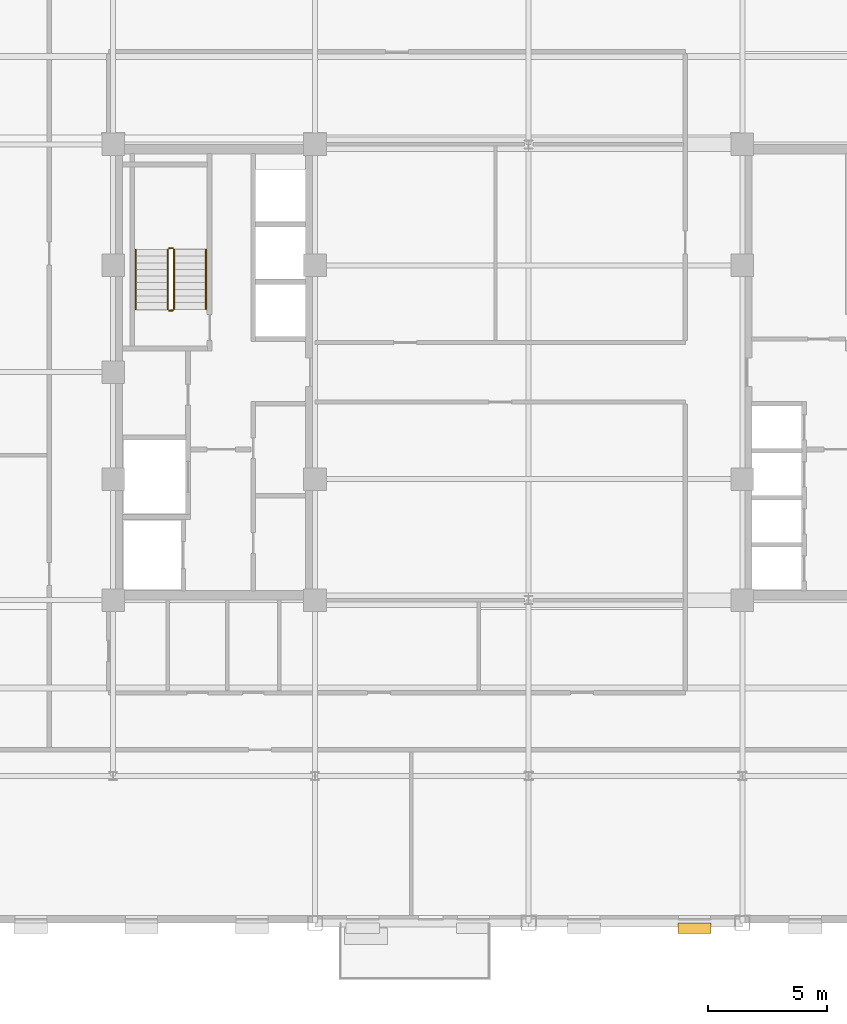
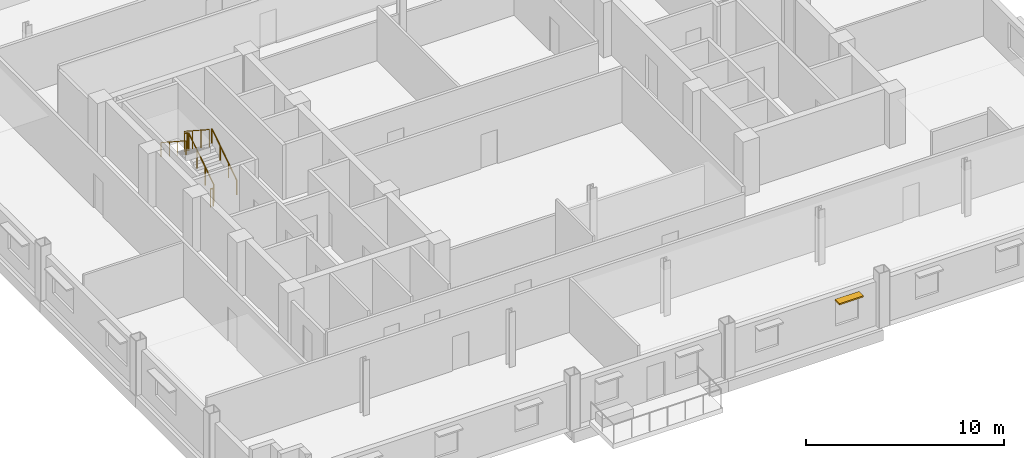
# One storey, part 11 of 14: 6 railings, 1 shading device.
"""IFC4 building model written with IfcOpenShell, lengths in metres."""

from ifc_helpers import new_model, si_unit, direction, frame, origin, origin_2d, place, context, subcontext, project, spatial, rectangle, circle, extrude, source, transform, mapped, material, type_object, type_shapes, element, save


model = new_model("IFC4")

# Units and contexts
model_context = context("Model", 3, precision=1e-05, world=origin(), true_north=direction((0.0, 1.0)))
body_context = subcontext(model_context, "Body", "Model", "MODEL_VIEW")
ifc_project = project(units=[si_unit("LENGTHUNIT", "METRE"), si_unit("AREAUNIT", "SQUARE_METRE"), si_unit("VOLUMEUNIT", "CUBIC_METRE"), si_unit("PLANEANGLEUNIT", "RADIAN"), si_unit("MASSUNIT", "GRAM", prefix="KILO")], contexts=[model_context])

# Site, building, storey
site_placement = place(None, origin())
site = spatial("IfcSite", under=ifc_project, at=site_placement, CompositionType="ELEMENT")
building_placement = place(site_placement, origin())
building = spatial("IfcBuilding", under=site, at=building_placement, Name="Nuvemarco Arch Tower", CompositionType="ELEMENT")
storey_placement = place(building_placement, frame((0.0, 0.0, 131.14990234375)))
storey = spatial("IfcBuildingStorey", under=building, at=storey_placement, Name="L34", CompositionType="ELEMENT", Elevation=131.14990234375)

# Railings
ifc_material_1 = material(Name="Brushed stainless steel handrail", Category="steel")
railing_type_1 = type_object("IfcRailingType", Name="RL-HANDRAIL-900", PredefinedType="HANDRAIL", material=ifc_material_1)
railing_1_placement = place(storey_placement, frame((-13.590087890625, 2.64990234375, 0.1826171875)))
element("IfcRailing", 1, at=railing_1_placement, inside=storey, type_object=railing_type_1, Name="L34 ST-1 stair handrail 1", PredefinedType="HANDRAIL", context=body_context, shape_type="SweptSolid", body=[
    extrude(circle(Radius=0.02392578125, at=origin_2d()), frame((0.0, 0.0, 0.8759765625), z_axis=(0.0, 0.837749427056, 0.546054848405), x_axis=(-1.0, 0.0, 0.0)), (0.0, 0.0, 1.0), 3.008056640625),
    extrude(circle(Radius=0.02099609375, at=origin_2d()), origin(), (0.0, 0.0, 1.0), 0.851806640625),
    extrude(circle(Radius=0.02099609375, at=origin_2d()), frame((0.0, 0.840087890625, 0.547607421875)), (0.0, 0.0, 1.0), 0.851806640625),
    extrude(circle(Radius=0.02099609375, at=origin_2d()), frame((0.0, 1.679931640625, 1.094970703125)), (0.0, 0.0, 1.0), 0.851806640625),
    extrude(circle(Radius=0.02099609375, at=origin_2d()), frame((0.0, 2.52001953125, 1.642578125)), (0.0, 0.0, 1.0), 0.851806640625),
])
railing_2_placement = place(storey_placement, frame((-16.550048828125, 5.169921875, 2.007568359375)))
element("IfcRailing", 2, at=railing_2_placement, inside=storey, type_object=railing_type_1, Name="L34 ST-1 stair handrail 2", PredefinedType="HANDRAIL", context=body_context, shape_type="SweptSolid", body=[
    extrude(circle(Radius=0.02392578125, at=origin_2d()), frame((0.0, 0.0, 0.8759765625), z_axis=(0.0, -0.837749427056, 0.546054848405), x_axis=(1.0, 0.0, 0.0)), (0.0, 0.0, 1.0), 3.008056640625),
    extrude(circle(Radius=0.02099609375, at=origin_2d()), origin(), (0.0, 0.0, 1.0), 0.851806640625),
    extrude(circle(Radius=0.02099609375, at=origin_2d()), frame((0.0, -0.840087890625, 0.547607421875)), (0.0, 0.0, 1.0), 0.851806640625),
    extrude(circle(Radius=0.02099609375, at=origin_2d()), frame((0.0, -1.679931640625, 1.094970703125)), (0.0, 0.0, 1.0), 0.851806640625),
    extrude(circle(Radius=0.02099609375, at=origin_2d()), frame((0.0, -2.52001953125, 1.642578125)), (0.0, 0.0, 1.0), 0.851806640625),
])
ifc_material_2 = material(Name="Painted balustrade steel S355", Category="steel")
railing_type_2 = type_object("IfcRailingType", Name="RL-STAIR-GUARD", PredefinedType="GUARDRAIL", material=ifc_material_2)
railing_3_placement = place(storey_placement, frame((-14.93994140625, 2.64990234375, 0.1826171875)))
element("IfcRailing", 3, at=railing_3_placement, inside=storey, type_object=railing_type_2, Name="L34 ST-1 stair guard 1", PredefinedType="GUARDRAIL", context=body_context, shape_type="SweptSolid", body=[
    extrude(circle(Radius=0.02392578125, at=origin_2d()), frame((0.0, 0.0, 1.09619140625), z_axis=(0.0, 0.837749427056, 0.546054848405), x_axis=(-1.0, 0.0, 0.0)), (0.0, 0.0, 1.0), 3.008056640625),
    extrude(circle(Radius=0.02099609375, at=origin_2d()), origin(), (0.0, 0.0, 1.0), 1.072021484375),
    extrude(circle(Radius=0.02099609375, at=origin_2d()), frame((0.0, 0.840087890625, 0.547607421875)), (0.0, 0.0, 1.0), 1.072021484375),
    extrude(circle(Radius=0.02099609375, at=origin_2d()), frame((0.0, 1.679931640625, 1.094970703125)), (0.0, 0.0, 1.0), 1.072021484375),
    extrude(circle(Radius=0.02099609375, at=origin_2d()), frame((0.0, 2.52001953125, 1.642578125)), (0.0, 0.0, 1.0), 1.072021484375),
])
railing_4_placement = place(storey_placement, frame((-14.989990234375, 5.219970703125, 1.8251953125)))
element("IfcRailing", 4, at=railing_4_placement, inside=storey, type_object=railing_type_2, Name="L34 ST-1 stair guard 2", PredefinedType="GUARDRAIL", context=body_context, shape_type="SweptSolid", body=[
    extrude(circle(Radius=0.02392578125, at=origin_2d()), frame((0.0, 0.0, 1.09619140625), z_axis=(-1.0, 0.0, 0.0), x_axis=(0.0, -1.0, 0.0)), (0.0, 0.0, 1.0), 0.159912109375),
    extrude(circle(Radius=0.02099609375, at=origin_2d()), origin(), (0.0, 0.0, 1.0), 1.072021484375),
    extrude(circle(Radius=0.02099609375, at=origin_2d()), frame((-0.159912109375, 0.0, 0.0)), (0.0, 0.0, 1.0), 1.072021484375),
])
railing_5_placement = place(storey_placement, frame((-15.199951171875, 5.169921875, 2.007568359375)))
element("IfcRailing", 5, at=railing_5_placement, inside=storey, type_object=railing_type_2, Name="L34 ST-1 stair guard 3", PredefinedType="GUARDRAIL", context=body_context, shape_type="SweptSolid", body=[
    extrude(circle(Radius=0.02392578125, at=origin_2d()), frame((0.0, 0.0, 1.09619140625), z_axis=(0.0, -0.837749427056, 0.546054848405), x_axis=(1.0, 0.0, 0.0)), (0.0, 0.0, 1.0), 3.008056640625),
    extrude(circle(Radius=0.02099609375, at=origin_2d()), origin(), (0.0, 0.0, 1.0), 1.072021484375),
    extrude(circle(Radius=0.02099609375, at=origin_2d()), frame((0.0, -0.840087890625, 0.547607421875)), (0.0, 0.0, 1.0), 1.072021484375),
    extrude(circle(Radius=0.02099609375, at=origin_2d()), frame((0.0, -1.679931640625, 1.094970703125)), (0.0, 0.0, 1.0), 1.072021484375),
    extrude(circle(Radius=0.02099609375, at=origin_2d()), frame((0.0, -2.52001953125, 1.642578125)), (0.0, 0.0, 1.0), 1.072021484375),
])
railing_6_placement = place(storey_placement, frame((-14.989990234375, 2.60009765625, 0.0)))
element("IfcRailing", 6, at=railing_6_placement, inside=storey, type_object=railing_type_2, Name="L34 ST-1 stair guard 4", PredefinedType="GUARDRAIL", context=body_context, shape_type="SweptSolid", body=[
    extrude(circle(Radius=0.02392578125, at=origin_2d()), frame((0.0, 0.0, 1.09619140625), z_axis=(-1.0, 0.0, 0.0), x_axis=(0.0, -1.0, 0.0)), (0.0, 0.0, 1.0), 0.159912109375),
    extrude(circle(Radius=0.02099609375, at=origin_2d()), origin(), (0.0, 0.0, 1.0), 1.072021484375),
    extrude(circle(Radius=0.02099609375, at=origin_2d()), frame((-0.159912109375, 0.0, 0.0)), (0.0, 0.0, 1.0), 1.072021484375),
])

# Shading device
ifc_material_3 = material(Name="Anodised aluminium 6063-T6", Category="aluminium")
shading_device_type = type_object("IfcShadingDeviceType", Name="SHD-BRISE-NARROW", PredefinedType="USERDEFINED", material=ifc_material_3)
shared_shape = source(origin(), body_context, "Body", "SweptSolid", [
    extrude(rectangle(XDim=1.39990234375, YDim=0.449951171875, at=origin_2d()), origin(), (0.0, 0.0, 1.0), 0.080078125),
])
type_shapes(shading_device_type, [shared_shape])
shading_device_placement = place(storey_placement, frame((6.989990234375, -23.4150390625, 2.364990234375), z_axis=(0.0, 0.0, 1.0), x_axis=(1.0, 0.0, 0.0)))
element("IfcShadingDevice", 7, at=shading_device_placement, inside=storey, type_object=shading_device_type, Name="L34 horizontal brise-soleil sunshade", ObjectType="SUNSHADE", PredefinedType="USERDEFINED", context=body_context, shape_type="MappedRepresentation", body=[
    mapped(shared_shape, transform((0.0, 0.0, 0.0), scale=1.0)),
])

save(model, "model.ifc")
